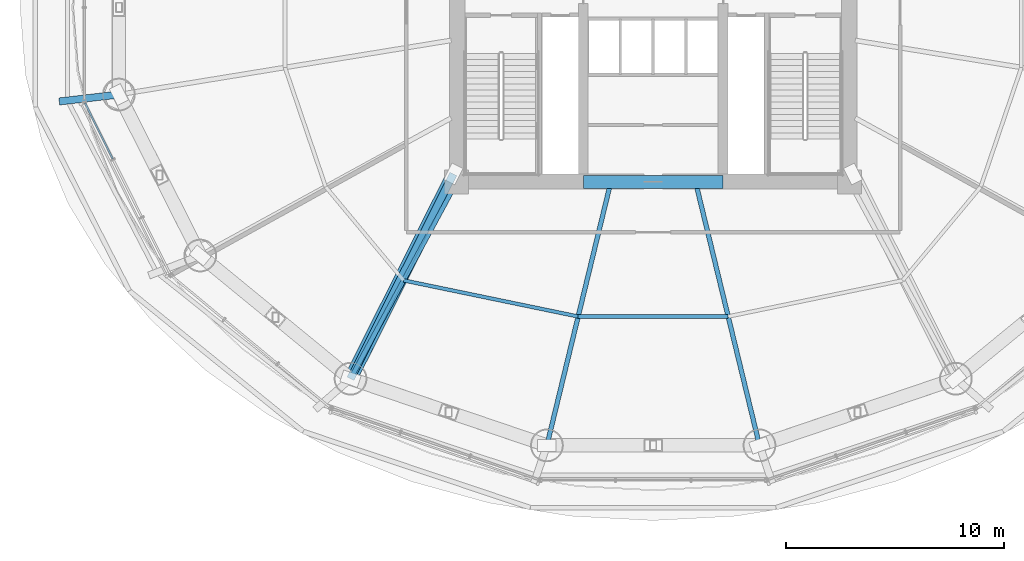
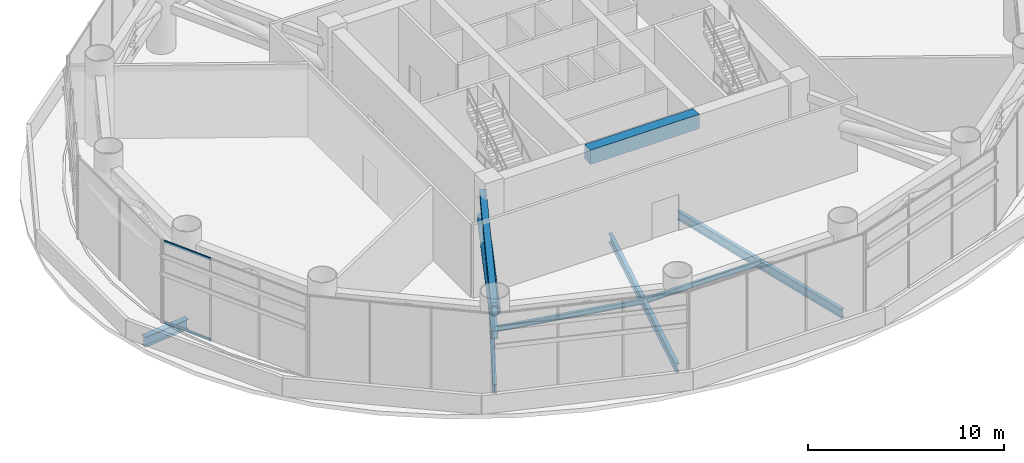
# One storey, part 7 of 33: 7 beams, 5 members, 1 element without a shape of its own.
"""IFC4 building model written with IfcOpenShell, lengths in metres."""

from ifc_helpers import new_model, si_unit, direction, frame, origin, origin_2d, place, context, subcontext, project, spatial, rectangle, hollow_rectangle, hollow_circle, i_section, extrude, source, transform, mapped, material, material_profile, profile_set, type_object, element, aggregate, save


model = new_model("IFC4")

# Units and contexts
model_context = context("Model", 3, precision=1e-05, world=origin(), true_north=direction((-0.2419218956, 0.970295726276)))
body_context = subcontext(model_context, "Body", "Model", "MODEL_VIEW")
ifc_project = project(units=[si_unit("LENGTHUNIT", "METRE"), si_unit("AREAUNIT", "SQUARE_METRE"), si_unit("VOLUMEUNIT", "CUBIC_METRE"), si_unit("PLANEANGLEUNIT", "RADIAN"), si_unit("MASSUNIT", "GRAM", prefix="KILO")], contexts=[model_context])

# Site, building, storey
site_placement = place(None, origin())
site = spatial("IfcSite", under=ifc_project, at=site_placement, CompositionType="ELEMENT")
building_placement = place(site_placement, origin())
building = spatial("IfcBuilding", under=site, at=building_placement, Name="Cobrevalo Terracotta Tower", CompositionType="ELEMENT")
storey_placement = place(building_placement, frame((0.0, 0.0, 74.39990234375)))
storey = spatial("IfcBuildingStorey", under=building, at=storey_placement, Name="L19", CompositionType="ELEMENT", Elevation=74.39990234375)

# Beams
ifc_material_1 = material(Name="Concrete C60", Category="concrete")
ifc_material_profile_1 = material_profile(ifc_material_1, rectangle(XDim=0.60009765625, YDim=0.89990234375, at=origin_2d()), Name="RC CB 600x900")
ifc_profile_set_1 = profile_set([ifc_material_profile_1], Name="Concrete C60")
beam_type_1 = type_object("IfcBeamType", Name="Structural Beam RC CB 600x900 (Concrete C60)", PredefinedType="BEAM", material=ifc_profile_set_1)
beam_1_placement = place(storey_placement, frame((34.800048828125, 18.800048828125, 4.675048828125), z_axis=(1.0, 0.0, 0.0), x_axis=(0.0, 1.0, 0.0)))
element("IfcBeam", 1, at=beam_1_placement, inside=storey, type_object=beam_type_1, Name="L19 core coupling beam 1", PredefinedType="BEAM", context=body_context, shape_type="SweptSolid", body=[
    extrude(rectangle(XDim=0.60009765625, YDim=0.89990234375, at=origin_2d()), origin(), (0.0, 0.0, 1.0), 6.39990234375),
])
ifc_material_2 = material(Name="Steel S355", Category="steel")
ifc_material_profile_2 = material_profile(ifc_material_2, i_section(OverallWidth=0.2109375, OverallDepth=0.5390625, WebThickness=0.01171875, FlangeThickness=0.018798828125, at=origin_2d()), Name="W 530x109")
ifc_profile_set_2 = profile_set([ifc_material_profile_2], Name="Steel S355")
beam_type_2 = type_object("IfcBeamType", Name="Structural Beam W 530x109 (Steel S355)", PredefinedType="BEAM", material=ifc_profile_set_2)
beam_2_placement = place(storey_placement, frame((24.138427734375, 9.79638671875, -0.719482421875), z_axis=(0.475118249298, 0.879921956303, 0.0), x_axis=(-0.879921956303, 0.475118249298, 0.0)))
element("IfcBeam", 2, at=beam_2_placement, inside=storey, type_object=beam_type_2, Name="L19 radial floor girder 11", PredefinedType="BEAM", context=body_context, shape_type="SweptSolid", body=[
    extrude(i_section(OverallWidth=0.2109375, OverallDepth=0.5390625, WebThickness=0.01171875, FlangeThickness=0.018798828125, at=origin_2d()), origin(), (0.0, 0.0, 1.0), 10.232421875),
])
for number, where, z_axis, x_axis, name in (
    (3, (33.132568359375, 6.742919921875, -0.719482421875), (0.235827288467, 0.97179498353, 0.0), (-0.97179498353, 0.235827288467, 0.0), "L19 radial floor girder 12"),
    (4, (42.867431640625, 6.742919921875, -0.719482421875), (-0.235827288467, 0.97179498353, 0.0), (-0.97179498353, -0.235827288467, 0.0), "L19 radial floor girder 13"),
):
    element("IfcBeam", number, at=place(storey_placement, frame(where, z_axis=z_axis, x_axis=x_axis)), inside=storey, type_object=beam_type_2, Name=name, PredefinedType="BEAM", context=body_context, shape_type="SweptSolid", body=[
        extrude(i_section(OverallWidth=0.2109375, OverallDepth=0.5390625, WebThickness=0.01171875, FlangeThickness=0.018798828125, at=origin_2d()), origin(), (0.0, 0.0, 1.0), 12.14453125),
    ])
ifc_material_profile_3 = material_profile(ifc_material_2, i_section(OverallWidth=0.3291015625, OverallDepth=0.635009765625, WebThickness=0.017822265625, FlangeThickness=0.031005859375, at=origin_2d()), Name="W 610x241")
ifc_profile_set_3 = profile_set([ifc_material_profile_3], Name="Steel S355")
beam_type_3 = type_object("IfcBeamType", Name="Structural Beam W 610x241 (Steel S355)", PredefinedType="BEAM", material=ifc_profile_set_3)
beam_3_placement = place(storey_placement, frame((10.798095703125, 22.493408203125, -0.767333984375), z_axis=(0.99333601579, 0.115254326316, 0.0), x_axis=(-0.115254326316, 0.99333601579, 0.0)))
element("IfcBeam", 5, at=beam_3_placement, inside=storey, type_object=beam_type_3, Name="L19 setback step-link girder 09", PredefinedType="BEAM", context=body_context, shape_type="SweptSolid", body=[
    extrude(i_section(OverallWidth=0.3291015625, OverallDepth=0.635009765625, WebThickness=0.017822265625, FlangeThickness=0.031005859375, at=origin_2d()), origin(), (0.0, 0.0, 1.0), 2.74951171875),
])
ifc_material_profile_4 = material_profile(ifc_material_2, i_section(OverallWidth=0.1650390625, OverallDepth=0.31005859375, WebThickness=0.005859375, FlangeThickness=0.009765625, at=origin_2d()), Name="W 310x38.7")
ifc_profile_set_4 = profile_set([ifc_material_profile_4], Name="Steel S355")
beam_type_4 = type_object("IfcBeamType", Name="Structural Joist W 310x38.7 (Steel S355)", PredefinedType="JOIST", material=ifc_profile_set_4)
beam_4_placement = place(storey_placement, frame((26.5693359375, 14.29833984375, -0.60498046875), z_axis=(0.979257146096, -0.202621424879, 0.0), x_axis=(0.202621424879, 0.979257146096, 0.0)))
element("IfcBeam", 6, at=beam_4_placement, inside=storey, type_object=beam_type_4, Name="L19 circumferential secondary floor joist 11", PredefinedType="JOIST", context=body_context, shape_type="SweptSolid", body=[
    extrude(i_section(OverallWidth=0.1650390625, OverallDepth=0.31005859375, WebThickness=0.005859375, FlangeThickness=0.009765625, at=origin_2d()), origin(), (0.0, 0.0, 1.0), 8.16455078125),
])
beam_5_placement = place(storey_placement, frame((34.564453125, 12.64404296875, -0.60498046875), z_axis=(1.0, 0.0, 0.0), x_axis=(0.0, 1.0, 0.0)))
element("IfcBeam", 7, at=beam_5_placement, inside=storey, type_object=beam_type_4, Name="L19 circumferential secondary floor joist 12", PredefinedType="JOIST", context=body_context, shape_type="SweptSolid", body=[
    extrude(i_section(OverallWidth=0.1650390625, OverallDepth=0.31005859375, WebThickness=0.005859375, FlangeThickness=0.009765625, at=origin_2d()), origin(), (0.0, 0.0, 1.0), 6.87109375),
])

# Members
ifc_material_profile_5 = material_profile(ifc_material_2, hollow_rectangle(XDim=0.35009765625, YDim=0.5, WallThickness=0.02197265625, at=origin_2d()), Name="RHS 500x350x22")
ifc_profile_set_5 = profile_set([ifc_material_profile_5], Name="Steel S355")
member_type_1 = type_object("IfcMemberType", Name="Steel Chord RHS 500x350x22 (Steel S355)", PredefinedType="CHORD", material=ifc_profile_set_5)
shared_shape_1 = source(origin(), body_context, "Body", "SweptSolid", [
    extrude(hollow_rectangle(XDim=0.35009765625, YDim=0.5, WallThickness=0.02197265625, at=origin_2d()), origin(), (0.0, 0.0, 1.0), 10.49560546875),
])
for number, where, z_axis, x_axis, name in (
    (8, (28.85009765625, 19.175048828125, 2.650146484375), (-0.448915495867, -0.89357421492, 0.0), (0.89357421492, -0.448915495867, 0.0), "L19 radial outrigger bottom chord 3"),
    (9, (28.85009765625, 19.175048828125, 4.14501953125), (-0.448915495867, -0.89357421492, 0.0), (0.89357421492, -0.448915495867, 0.0), "L19 radial outrigger top chord 3"),
):
    element("IfcMember", number, at=place(storey_placement, frame(where, z_axis=z_axis, x_axis=x_axis)), inside=storey, type_object=member_type_1, Name=name, PredefinedType="CHORD", context=body_context, shape_type="MappedRepresentation", body=[
        mapped(shared_shape_1, transform((0.0, 0.0, 0.0), scale=1.0)),
    ])
ifc_material_profile_6 = material_profile(ifc_material_2, hollow_circle(Radius=0.304931640625, WallThickness=0.02490234375, at=origin_2d()), Name="CHS 610x25")
ifc_profile_set_6 = profile_set([ifc_material_profile_6], Name="Steel S355")
member_type_2 = type_object("IfcMemberType", Name="Steel Brace CHS 610x25 (Steel S355)", PredefinedType="BRACE", material=ifc_profile_set_6)
shared_shape_2 = source(origin(), body_context, "Body", "SweptSolid", [
    extrude(hollow_circle(Radius=0.304931640625, WallThickness=0.02490234375, at=origin_2d()), origin(), (0.0, 0.0, 1.0), 10.6015625),
])
member_1_placement = place(storey_placement, frame((28.85009765625, 19.175048828125, 2.650146484375), z_axis=(-0.444430356873, -0.884646466619, 0.141004563715), x_axis=(0.89357421492, -0.448915495867, 0.0)))
element("IfcMember", 10, at=member_1_placement, inside=storey, type_object=member_type_2, Name="L19 radial outrigger diagonal brace 3A", PredefinedType="BRACE", context=body_context, shape_type="MappedRepresentation", body=[
    mapped(shared_shape_2, transform((0.0, 0.0, 0.0), scale=1.0)),
])

# Curtain wall, members
ifc_material_3 = material(Name="Anodized aluminium", Category="aluminium")
curtain_wall_type = type_object("IfcCurtainWallType", Name="Belt-truss plant acoustic weather-louvre curtain wall CW-LV", PredefinedType="NOTDEFINED", material=ifc_material_3)
curtain_wall_placement = place(storey_placement, origin())
curtain_wall = element("IfcCurtainWall", 11, at=curtain_wall_placement, inside=storey, type_object=curtain_wall_type, Name="L19 curtain wall CW-LV-L19-S09", PredefinedType="NOTDEFINED")
ifc_material_profile_7 = material_profile(ifc_material_3, hollow_rectangle(XDim=0.074951171875, YDim=0.14990234375, WallThickness=0.00439453125, at=origin_2d()), Name="CWT 75x150")
ifc_profile_set_7 = profile_set([ifc_material_profile_7], Name="Anodized aluminium")
member_type_3 = type_object("IfcMemberType", Name="Tower unitised aluminium transom 75x150", PredefinedType="USERDEFINED", material=ifc_profile_set_7)
shared_shape_3 = source(origin(), body_context, "Body", "SweptSolid", [
    extrude(hollow_rectangle(XDim=0.074951171875, YDim=0.14990234375, WallThickness=0.00439453125, at=origin_2d()), origin(), (0.0, 0.0, 1.0), 2.843505859375),
])
member_2_placement = place(storey_placement, frame((11.976318359375, 22.4228515625, 0.050048828125), z_axis=(0.446217335725, -0.894924627719, 0.0), x_axis=(0.894924627719, 0.446217335725, 0.0)))
member_2 = element("IfcMember", 12, at=member_2_placement, type_object=member_type_3, Name="CW-LV-L19-S09 transom B01-T1", ObjectType="TRANSOM", PredefinedType="USERDEFINED", context=body_context, shape_type="MappedRepresentation", body=[
    mapped(shared_shape_3, transform((0.0, 0.0, 0.0), scale=1.0)),
])
member_3_placement = place(storey_placement, frame((11.976318359375, 22.4228515625, 5.0751953125), z_axis=(0.446217335725, -0.894924627719, 0.0), x_axis=(0.894924627719, 0.446217335725, 0.0)))
member_3 = element("IfcMember", 13, at=member_3_placement, type_object=member_type_3, Name="CW-LV-L19-S09 transom B01-T2", ObjectType="TRANSOM", PredefinedType="USERDEFINED", context=body_context, shape_type="MappedRepresentation", body=[
    mapped(shared_shape_3, transform((0.0, 0.0, 0.0), scale=1.0)),
])
aggregate(curtain_wall, [member_2, member_3])

save(model, "model.ifc")
